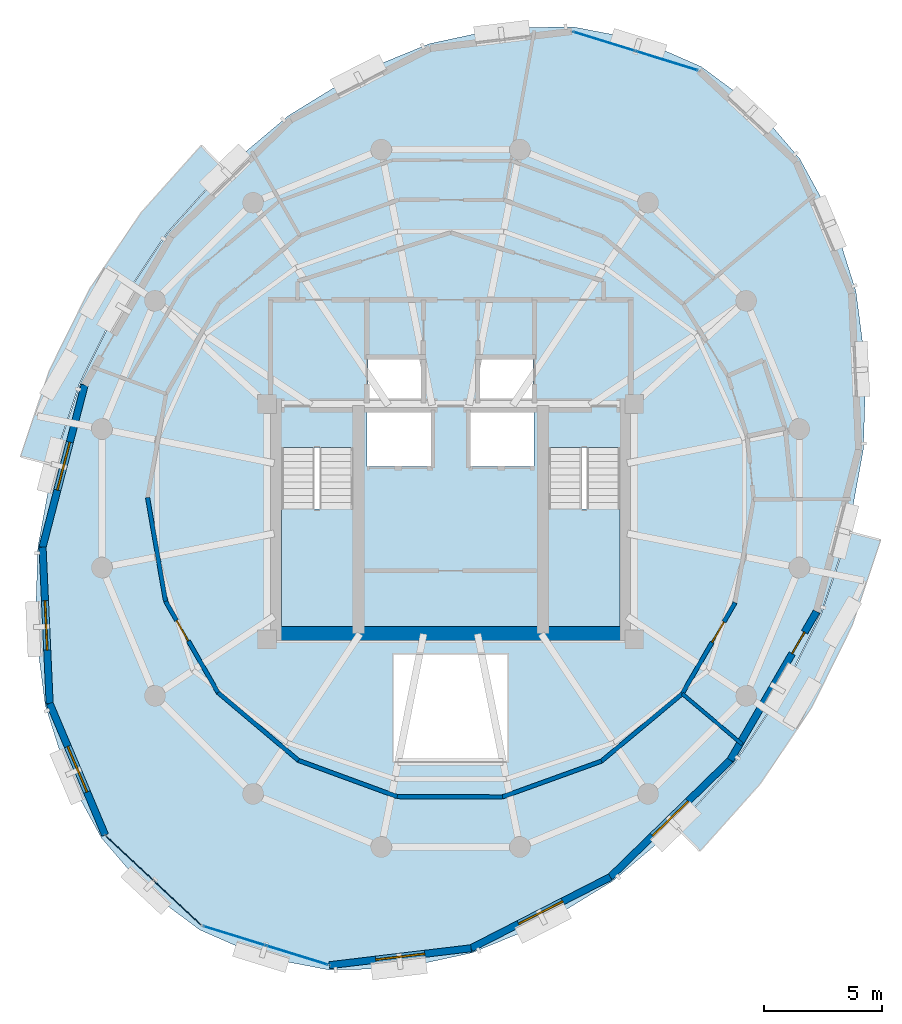
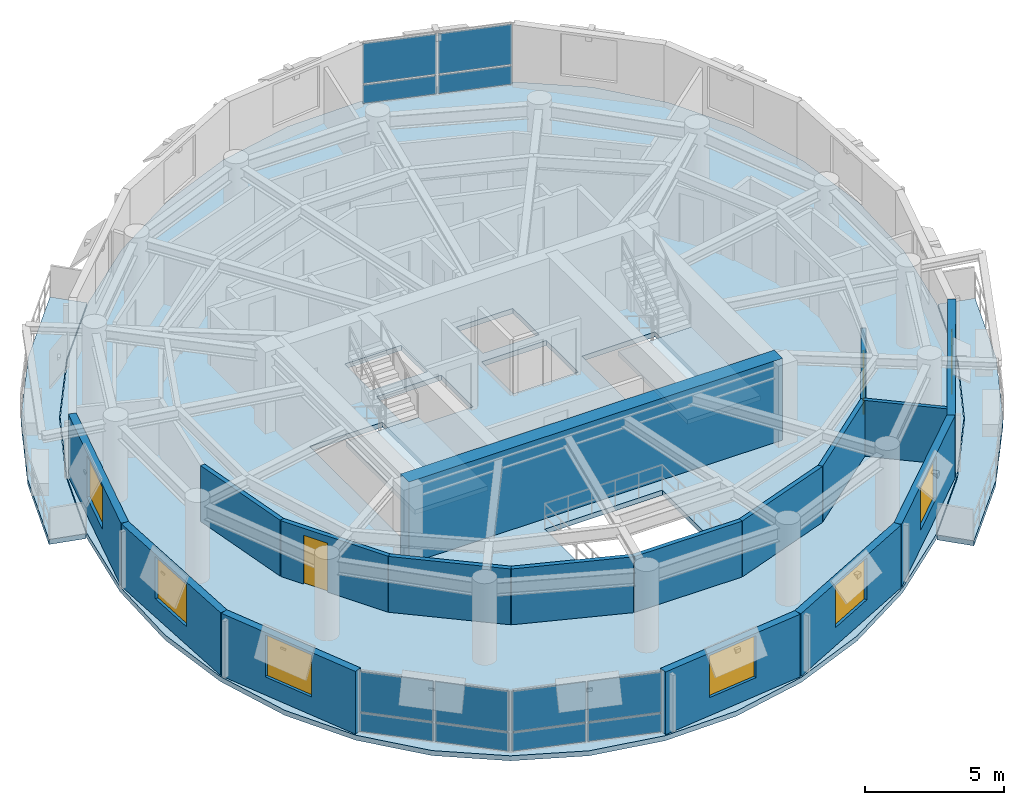
# One storey, part 6 of 11: 17 walls, 12 plates, 6 windows, 5 slabs, 3 doors, 9 openings, 5 elements without a shape of their own.
"""IFC4 building model written with IfcOpenShell, lengths in metres."""

from ifc_helpers import new_model, si_unit, direction, frame, frame_2d, origin, origin_2d, place, context, subcontext, project, spatial, polyline, rectangle, outline, extrude, material, layer, layer_set, type_object, element, fill, aggregate, save


model = new_model("IFC4")

# Units and contexts
model_context = context("Model", 3, precision=1e-05, world=origin(), true_north=direction((0.0, 1.0)))
body_context = subcontext(model_context, "Body", "Model", "MODEL_VIEW")
ifc_project = project(units=[si_unit("LENGTHUNIT", "METRE"), si_unit("AREAUNIT", "SQUARE_METRE"), si_unit("VOLUMEUNIT", "CUBIC_METRE"), si_unit("PLANEANGLEUNIT", "RADIAN"), si_unit("MASSUNIT", "GRAM", prefix="KILO"), si_unit("THERMODYNAMICTEMPERATUREUNIT", "KELVIN"), si_unit("POWERUNIT", "WATT")], contexts=[model_context])

# Site, building, storey
site_placement = place(None, origin())
site = spatial("IfcSite", under=ifc_project, at=site_placement, CompositionType="ELEMENT")
building_placement = place(site_placement, origin())
building = spatial("IfcBuilding", under=site, at=building_placement, Name="Ocrelia Relay Tower", CompositionType="ELEMENT")
storey_placement = place(building_placement, frame((0.0, 0.0, 277.199951171875)))
storey = spatial("IfcBuildingStorey", under=building, at=storey_placement, Name="L69", CompositionType="ELEMENT", Elevation=277.199951171875)

# Curtain wall, plates
ifc_material_1 = material(Name="Aluminium and solar-control low-E glass", Category="aluminium")
ifc_layer_1 = layer(ifc_material_1, 0.179931640625, Name="Aluminium and solar-control low-E glass")
ifc_layer_set_1 = layer_set([ifc_layer_1], Name="Aluminium and solar-control low-E glass")
curtain_wall_type = type_object("IfcCurtainWallType", Name="CW-SYS-Z4-EXEC", PredefinedType="NOTDEFINED", material=ifc_layer_set_1)
curtain_wall_1_placement = place(storey_placement, origin())
curtain_wall_1 = element("IfcCurtainWall", 1, at=curtain_wall_1_placement, inside=storey, type_object=curtain_wall_type, Name="L69 Elliptical Tower Curtain Wall Bay 01", PredefinedType="NOTDEFINED")
ifc_material_2 = material(Name="Clear double-glazed low-E glass", Category="glass")
ifc_layer_2 = layer(ifc_material_2, 0.031982421875, Name="Clear double-glazed low-E glass")
ifc_layer_set_2 = layer_set([ifc_layer_2], Name="Clear double-glazed low-E glass")
plate_type = type_object("IfcPlateType", Name="CW-SYS-Z4-EXEC-PNL", PredefinedType="CURTAIN_PANEL", material=ifc_layer_set_2)
plate_1_placement = place(storey_placement, frame((43.1826171875, 44.58154296875, 0.06005859375), z_axis=(0.0, 0.0, 1.0), x_axis=(-0.955291722737, 0.295664885419, 0.0)))
plate_1 = element("IfcPlate", 2, at=plate_1_placement, type_object=plate_type, Name="CW-Z4 panel 1.1", PredefinedType="CURTAIN_PANEL", context=body_context, shape_type="SweptSolid", body=[
    extrude(rectangle(XDim=2.7275390625, YDim=0.031982421875, at=origin_2d()), origin(), (0.0, 0.0, 1.0), 0.81005859375),
])
plate_2_placement = place(storey_placement, frame((43.1826171875, 44.58154296875, 0.929931640625), z_axis=(0.0, 0.0, 1.0), x_axis=(-0.955291722737, 0.295664885419, 0.0)))
plate_2 = element("IfcPlate", 3, at=plate_2_placement, type_object=plate_type, Name="CW-Z4 panel 1.2", PredefinedType="CURTAIN_PANEL", context=body_context, shape_type="SweptSolid", body=[
    extrude(rectangle(XDim=2.7275390625, YDim=0.031982421875, at=origin_2d()), origin(), (0.0, 0.0, 1.0), 1.77001953125),
])
plate_3_placement = place(storey_placement, frame((40.514892578125, 45.4072265625, 0.06005859375), z_axis=(0.0, 0.0, 1.0), x_axis=(-0.955291722737, 0.295664885419, 0.0)))
plate_3 = element("IfcPlate", 4, at=plate_3_placement, type_object=plate_type, Name="CW-Z4 panel 2.1", PredefinedType="CURTAIN_PANEL", context=body_context, shape_type="SweptSolid", body=[
    extrude(rectangle(XDim=2.7275390625, YDim=0.031982421875, at=origin_2d()), origin(), (0.0, 0.0, 1.0), 0.81005859375),
])
plate_4_placement = place(storey_placement, frame((40.514892578125, 45.4072265625, 0.929931640625), z_axis=(0.0, 0.0, 1.0), x_axis=(-0.955291722737, 0.295664885419, 0.0)))
plate_4 = element("IfcPlate", 5, at=plate_4_placement, type_object=plate_type, Name="CW-Z4 panel 2.2", PredefinedType="CURTAIN_PANEL", context=body_context, shape_type="SweptSolid", body=[
    extrude(rectangle(XDim=2.7275390625, YDim=0.031982421875, at=origin_2d()), origin(), (0.0, 0.0, 1.0), 1.77001953125),
])
aggregate(curtain_wall_1, [plate_1, plate_2, plate_3, plate_4])

curtain_wall_2_placement = place(storey_placement, origin())
curtain_wall_2 = element("IfcCurtainWall", 6, at=curtain_wall_2_placement, inside=storey, type_object=curtain_wall_type, Name="L69 Elliptical Tower Curtain Wall Bay 09", PredefinedType="NOTDEFINED")
plate_5_placement = place(storey_placement, frame((20.3701171875, 10.7255859375, 0.06005859375), z_axis=(0.0, 0.0, 1.0), x_axis=(0.730125282793, -0.683313304003, 0.0)))
plate_5 = element("IfcPlate", 7, at=plate_5_placement, type_object=plate_type, Name="CW-Z4 panel 1.1", PredefinedType="CURTAIN_PANEL", context=body_context, shape_type="SweptSolid", body=[
    extrude(rectangle(XDim=2.7275390625, YDim=0.031982421875, at=origin_2d()), origin(), (0.0, 0.0, 1.0), 0.81005859375),
])
plate_6_placement = place(storey_placement, frame((20.3701171875, 10.7255859375, 0.929931640625), z_axis=(0.0, 0.0, 1.0), x_axis=(0.730125282793, -0.683313304003, 0.0)))
plate_6 = element("IfcPlate", 8, at=plate_6_placement, type_object=plate_type, Name="CW-Z4 panel 1.2", PredefinedType="CURTAIN_PANEL", context=body_context, shape_type="SweptSolid", body=[
    extrude(rectangle(XDim=2.7275390625, YDim=0.031982421875, at=origin_2d()), origin(), (0.0, 0.0, 1.0), 1.77001953125),
])
plate_7_placement = place(storey_placement, frame((22.4091796875, 8.8173828125, 0.06005859375), z_axis=(0.0, 0.0, 1.0), x_axis=(0.730125282793, -0.683313304003, 0.0)))
plate_7 = element("IfcPlate", 9, at=plate_7_placement, type_object=plate_type, Name="CW-Z4 panel 2.1", PredefinedType="CURTAIN_PANEL", context=body_context, shape_type="SweptSolid", body=[
    extrude(rectangle(XDim=2.7275390625, YDim=0.031982421875, at=origin_2d()), origin(), (0.0, 0.0, 1.0), 0.81005859375),
])
plate_8_placement = place(storey_placement, frame((22.4091796875, 8.8173828125, 0.929931640625), z_axis=(0.0, 0.0, 1.0), x_axis=(0.730125282793, -0.683313304003, 0.0)))
plate_8 = element("IfcPlate", 10, at=plate_8_placement, type_object=plate_type, Name="CW-Z4 panel 2.2", PredefinedType="CURTAIN_PANEL", context=body_context, shape_type="SweptSolid", body=[
    extrude(rectangle(XDim=2.7275390625, YDim=0.031982421875, at=origin_2d()), origin(), (0.0, 0.0, 1.0), 1.77001953125),
])
aggregate(curtain_wall_2, [plate_5, plate_6, plate_7, plate_8])

curtain_wall_3_placement = place(storey_placement, origin())
curtain_wall_3 = element("IfcCurtainWall", 11, at=curtain_wall_3_placement, inside=storey, type_object=curtain_wall_type, Name="L69 Elliptical Tower Curtain Wall Bay 10", PredefinedType="NOTDEFINED")
plate_9_placement = place(storey_placement, frame((24.8173828125, 7.41845703125, 0.06005859375), z_axis=(0.0, 0.0, 1.0), x_axis=(0.955291722737, -0.295664885419, 0.0)))
plate_9 = element("IfcPlate", 12, at=plate_9_placement, type_object=plate_type, Name="CW-Z4 panel 1.1", PredefinedType="CURTAIN_PANEL", context=body_context, shape_type="SweptSolid", body=[
    extrude(rectangle(XDim=2.7275390625, YDim=0.031982421875, at=origin_2d()), origin(), (0.0, 0.0, 1.0), 0.81005859375),
])
plate_10_placement = place(storey_placement, frame((24.8173828125, 7.41845703125, 0.929931640625), z_axis=(0.0, 0.0, 1.0), x_axis=(0.955291722737, -0.295664885419, 0.0)))
plate_10 = element("IfcPlate", 13, at=plate_10_placement, type_object=plate_type, Name="CW-Z4 panel 1.2", PredefinedType="CURTAIN_PANEL", context=body_context, shape_type="SweptSolid", body=[
    extrude(rectangle(XDim=2.7275390625, YDim=0.031982421875, at=origin_2d()), origin(), (0.0, 0.0, 1.0), 1.77001953125),
])
plate_11_placement = place(storey_placement, frame((27.485107421875, 6.5927734375, 0.06005859375), z_axis=(0.0, 0.0, 1.0), x_axis=(0.955291722737, -0.295664885419, 0.0)))
plate_11 = element("IfcPlate", 14, at=plate_11_placement, type_object=plate_type, Name="CW-Z4 panel 2.1", PredefinedType="CURTAIN_PANEL", context=body_context, shape_type="SweptSolid", body=[
    extrude(rectangle(XDim=2.7275390625, YDim=0.031982421875, at=origin_2d()), origin(), (0.0, 0.0, 1.0), 0.81005859375),
])
plate_12_placement = place(storey_placement, frame((27.485107421875, 6.5927734375, 0.929931640625), z_axis=(0.0, 0.0, 1.0), x_axis=(0.955291722737, -0.295664885419, 0.0)))
plate_12 = element("IfcPlate", 15, at=plate_12_placement, type_object=plate_type, Name="CW-Z4 panel 2.2", PredefinedType="CURTAIN_PANEL", context=body_context, shape_type="SweptSolid", body=[
    extrude(rectangle(XDim=2.7275390625, YDim=0.031982421875, at=origin_2d()), origin(), (0.0, 0.0, 1.0), 1.77001953125),
])
aggregate(curtain_wall_3, [plate_9, plate_10, plate_11, plate_12])

# Slabs
ifc_material_3 = material(Name="Precast concrete C40/50", Category="concrete")
ifc_layer_3 = layer(ifc_material_3, 0.219970703125, Name="Precast concrete C40/50")
ifc_layer_set_3 = layer_set([ifc_layer_3], Name="Precast concrete C40/50")
slab_type_1 = type_object("IfcSlabType", Name="SL-BALC-220", PredefinedType="FLOOR", material=ifc_layer_set_3)
slab_1_placement = place(storey_placement, frame((0.0, 0.0, -0.219970703125)))
element("IfcSlab", 16, at=slab_1_placement, inside=storey, type_object=slab_type_1, Name="L69 Planted Loggia Balcony B1", PredefinedType="FLOOR", context=body_context, shape_type="SweptSolid", body=[
    extrude(outline(polyline([(24.3759765625, 39.984619140625), (23.160400390625, 38.62451171875), (21.944580078125, 37.264404296875), (19.879150390625, 34.201904296875), (18.242431640625, 30.890625), (17.663330078125, 29.160888671875), (17.084228515625, 27.430908203125), (15.735107421875, 27.77880859375), (16.3447265625, 29.600341796875), (16.95458984375, 31.421630859375), (18.674560546875, 34.901611328125), (20.84521484375, 38.1201171875), (22.125, 39.552001953125), (23.405029296875, 40.984130859375), (24.3759765625, 39.984619140625)])), origin(), (0.0, 0.0, 1.0), 0.219970703125),
])
slab_2_placement = place(storey_placement, frame((0.0, 0.0, -0.219970703125)))
element("IfcSlab", 17, at=slab_2_placement, inside=storey, type_object=slab_type_1, Name="L69 Planted Loggia Balcony B2", PredefinedType="FLOOR", context=body_context, shape_type="SweptSolid", body=[
    extrude(outline(polyline([(43.6240234375, 12.015380859375), (44.839599609375, 13.37548828125), (46.055419921875, 14.735595703125), (48.120849609375, 17.798095703125), (49.757568359375, 21.109375), (50.336669921875, 22.839111328125), (50.915771484375, 24.569091796875), (52.264892578125, 24.22119140625), (51.6552734375, 22.399658203125), (51.04541015625, 20.578369140625), (49.325439453125, 17.098388671875), (47.15478515625, 13.8798828125), (45.875, 12.44775390625), (44.594970703125, 11.015869140625), (43.6240234375, 12.015380859375)])), origin(), (0.0, 0.0, 1.0), 0.219970703125),
])
ifc_material_4 = material(Name="Concrete C50/60", Category="concrete")
ifc_layer_4 = layer(ifc_material_4, 0.219970703125, Name="Concrete C50/60")
ifc_layer_set_4 = layer_set([ifc_layer_4], Name="Concrete C50/60")
slab_type_2 = type_object("IfcSlabType", Name="SL-FLR-220", PredefinedType="FLOOR", material=ifc_layer_set_4)
slab_3_placement = place(storey_placement, frame((0.0, 0.0, -0.219970703125)))
element("IfcSlab", 18, at=slab_3_placement, inside=storey, type_object=slab_type_2, Name="L69 Elliptical Tower Floor Slab", PredefinedType="FLOOR", context=body_context, shape_type="SweptSolid", body=[
    extrude(outline(polyline([(44.64794921875, 44.331787109375), (42.038818359375, 45.47509765625), (39.185302734375, 46.026611328125), (36.174072265625, 45.969482421875), (33.096923828125, 45.305419921875), (30.047119140625, 44.05517578125), (27.117431640625, 42.256103515625), (24.39697265625, 39.963134765625), (21.96826171875, 37.245849609375), (19.9052734375, 34.18701171875), (18.270263671875, 30.879150390625), (17.11328125, 27.42333984375), (16.469482421875, 23.924072265625), (16.3583984375, 20.488037109375), (16.783203125, 17.219482421875), (17.731201171875, 14.217529296875), (19.17333984375, 11.57373046875), (21.066162109375, 9.3681640625), (23.35205078125, 7.668212890625), (25.961181640625, 6.52490234375), (28.814697265625, 5.973388671875), (31.825927734375, 6.030517578125), (34.903076171875, 6.694580078125), (37.952880859375, 7.94482421875), (40.882568359375, 9.743896484375), (43.60302734375, 12.036865234375), (46.03173828125, 14.754150390625), (48.0947265625, 17.81298828125), (49.729736328125, 21.120849609375), (50.88671875, 24.57666015625), (51.530517578125, 28.075927734375), (51.6416015625, 31.511962890625), (51.216796875, 34.780517578125), (50.268798828125, 37.782470703125), (48.82666015625, 40.42626953125), (46.933837890625, 42.6318359375), (44.64794921875, 44.331787109375)]), holes=[polyline([(26.81005859375, 28.14990234375), (26.81005859375, 20.550048828125), (29.85009765625, 20.550048828125), (29.85009765625, 28.14990234375), (26.81005859375, 28.14990234375)]), polyline([(38.159912109375, 28.14990234375), (38.159912109375, 20.550048828125), (41.199951171875, 20.550048828125), (41.199951171875, 28.14990234375), (38.159912109375, 28.14990234375)]), polyline([(30.4599609375, 27.35009765625), (33.159912109375, 27.35009765625), (33.159912109375, 29.64990234375), (30.4599609375, 29.64990234375), (30.4599609375, 27.35009765625)]), polyline([(34.840087890625, 27.35009765625), (37.5400390625, 27.35009765625), (37.5400390625, 29.64990234375), (34.840087890625, 29.64990234375), (34.840087890625, 27.35009765625)]), polyline([(30.5, 30.10009765625), (32.85009765625, 30.10009765625), (32.85009765625, 32.0), (30.5, 32.0), (30.5, 30.10009765625)]), polyline([(35.14990234375, 30.10009765625), (37.5, 30.10009765625), (37.5, 32.0), (35.14990234375, 32.0), (35.14990234375, 30.10009765625)]), polyline([(31.550048828125, 14.800048828125), (36.449951171875, 14.800048828125), (36.449951171875, 19.39990234375), (31.550048828125, 19.39990234375), (31.550048828125, 14.800048828125)])]), origin(), (0.0, 0.0, 1.0), 0.219970703125),
])

# Stair, slab
stair_type = type_object("IfcStairType", Name="ST-DL-1420-R180", PredefinedType="HALF_TURN_STAIR", material=ifc_material_4)
stair_1_placement = place(storey_placement, origin())
stair_1 = element("IfcStair", 19, at=stair_1_placement, inside=storey, type_object=stair_type, Name="L69 West Core Exit Stair ST1", PredefinedType="HALF_TURN_STAIR")
ifc_layer_5 = layer(ifc_material_4, 0.199951171875, Name="Concrete C50/60")
ifc_layer_set_5 = layer_set([ifc_layer_5], Name="Concrete C50/60")
slab_type_3 = type_object("IfcSlabType", Name="SL-LANDING-200", PredefinedType="LANDING", material=ifc_layer_set_5)
slab_4_placement = place(storey_placement, frame((0.0, 0.0, 1.60009765625)))
slab_4 = element("IfcSlab", 20, at=slab_4_placement, type_object=slab_type_3, Name="ST1 landing 1", PredefinedType="LANDING", context=body_context, shape_type="SweptSolid", body=[
    extrude(outline(polyline([(26.81005859375, 25.5400390625), (26.81005859375, 20.550048828125), (29.85009765625, 20.550048828125), (29.85009765625, 25.5400390625), (26.81005859375, 25.5400390625)])), origin(), (0.0, 0.0, 1.0), 0.199951171875),
])
aggregate(stair_1, [slab_4])

stair_2_placement = place(storey_placement, origin())
stair_2 = element("IfcStair", 21, at=stair_2_placement, inside=storey, type_object=stair_type, Name="L69 East Core Exit Stair ST2", PredefinedType="HALF_TURN_STAIR")
slab_5_placement = place(storey_placement, frame((0.0, 0.0, 1.60009765625)))
slab_5 = element("IfcSlab", 22, at=slab_5_placement, type_object=slab_type_3, Name="ST2 landing 1", PredefinedType="LANDING", context=body_context, shape_type="SweptSolid", body=[
    extrude(outline(polyline([(38.159912109375, 25.5400390625), (38.159912109375, 20.550048828125), (41.199951171875, 20.550048828125), (41.199951171875, 25.5400390625), (38.159912109375, 25.5400390625)])), origin(), (0.0, 0.0, 1.0), 0.199951171875),
])
aggregate(stair_2, [slab_5])

# Walls
ifc_layer_6 = layer(ifc_material_4, 0.60009765625, Name="Concrete C50/60")
ifc_layer_set_6 = layer_set([ifc_layer_6], Name="Concrete C50/60")
wall_type_1 = type_object("IfcWallType", Name="CW-CORE-600B", PredefinedType="SHEAR", material=ifc_layer_set_6)
wall_1_placement = place(storey_placement, frame((26.221923828125, 20.261962890625, 0.0), z_axis=(0.0, 0.0, 1.0), x_axis=(1.0, 0.0, 0.0)))
element("IfcWall", 23, at=wall_1_placement, inside=storey, type_object=wall_type_1, Name="L69 Core Shear Wall S", PredefinedType="SHEAR", context=body_context, shape_type="SweptSolid", body=[
    extrude(rectangle(XDim=15.566162109375, YDim=0.60009765625, at=frame_2d((7.783203125, 0.0))), origin(), (0.0, 0.0, 1.0), 3.60009765625),
])
ifc_material_5 = material(Name="Gypsum Fireboard Partition EI60", Category="gypsum")
ifc_layer_7 = layer(ifc_material_5, 0.179931640625, Name="Gypsum Fireboard Partition EI60")
ifc_layer_set_7 = layer_set([ifc_layer_7], Name="Gypsum Fireboard Partition EI60")
wall_type_2 = type_object("IfcWallType", Name="W-CORR-EI60-180", PredefinedType="PARTITIONING", material=ifc_layer_set_7)
wall_2_placement = place(storey_placement, frame((21.1298828125, 26.03369140625, 0.0), z_axis=(0.0, 0.0, 1.0), x_axis=(0.171126796795, -0.985249013914, 0.0)))
element("IfcWall", 24, at=wall_2_placement, inside=storey, type_object=wall_type_2, Name="L69 Diplomatic Protocol Foyer Corridor Partition 2", PredefinedType="PARTITIONING", context=body_context, shape_type="SweptSolid", body=[
    extrude(rectangle(XDim=4.4697265625, YDim=0.179931640625, at=frame_2d((2.23486328125, 0.0))), origin(), (0.0, 0.0, 1.0), 2.4599609375),
])

# Wall, opening, door
wall_3_placement = place(storey_placement, frame((21.894775390625, 21.6298828125, 0.0), z_axis=(0.0, 0.0, 1.0), x_axis=(0.497714592085, -0.867340870031, 0.0)))
wall_3 = element("IfcWall", 25, at=wall_3_placement, inside=storey, type_object=wall_type_2, Name="L69 Diplomatic Protocol Foyer Corridor Partition 3", PredefinedType="PARTITIONING", context=body_context, shape_type="SweptSolid", body=[
    extrude(rectangle(XDim=4.4697265625, YDim=0.179931640625, at=frame_2d((2.23486328125, 0.0))), origin(), (0.0, 0.0, 1.0), 2.4599609375),
])
opening_1_placement = place(wall_3_placement, frame((0.9423828125, 0.0, 0.0)))
opening_1 = element("IfcOpeningElement", 26, at=opening_1_placement, cuts=wall_3, Name="Opening D-RM100", PredefinedType="OPENING", context=body_context, shape_type="SweptSolid", body=[
    extrude(rectangle(XDim=1.0, YDim=2.14990234375, at=frame_2d((0.5, 1.074951171875))), frame((0.0, 0.10009765625, 0.0), z_axis=(0.0, -1.0, 0.0), x_axis=(1.0, 0.0, 0.0)), (0.0, 0.0, 1.0), 0.199951171875),
])
ifc_material_6 = material(Name="Acoustic oak veneer fire door", Category="wood")
door_type_1 = type_object("IfcDoorType", Name="DR-ROOM-FD60-1000", OperationType="NOTDEFINED", PredefinedType="DOOR", material=ifc_material_6)
door_1_placement = place(opening_1_placement, origin())
door_1 = element("IfcDoor", 27, at=door_1_placement, inside=storey, type_object=door_type_1, Name="L69 Diplomatic Protocol Foyer Entrance Door", OperationType="SINGLE_SWING_LEFT", OverallHeight=2.14990234375, OverallWidth=1.0, PredefinedType="DOOR", context=body_context, shape_type="SweptSolid", body=[
    extrude(rectangle(XDim=1.0, YDim=2.14990234375, at=frame_2d((0.5, 1.074951171875))), frame((0.0, 0.02490234375, 0.0), z_axis=(0.0, -1.0, 0.0), x_axis=(1.0, 0.0, 0.0)), (0.0, 0.0, 1.0), 0.050048828125),
])
fill(opening_1, door_1)

# Walls
for number, where, z_axis, x_axis, name in (
    (28, (24.119384765625, 17.753173828125, 0.0), (0.0, 0.0, 1.0), (0.764357098744, -0.644793164976, 0.0), "L69 Diplomatic Protocol Foyer Corridor Partition 4"),
    (29, (27.535888671875, 14.87109375, 0.0), (0.0, 0.0, 1.0), (0.938786245945, -0.3445001951, 0.0), "L69 Diplomatic Protocol Foyer Corridor Partition 5"),
    (30, (31.73193359375, 13.331298828125, 0.0), (0.0, 0.0, 1.0), (0.999996563088, -0.002621795665, 0.0), "L69 Diplomatic Protocol Foyer Corridor Partition 6"),
    (31, (36.20166015625, 13.319580078125, 0.0), (0.0, 0.0, 1.0), (0.940577162763, 0.339580036057, 0.0), "L69 Diplomatic Protocol Foyer Corridor Partition 7"),
    (32, (40.40576171875, 14.83740234375, 0.0), (0.0, 0.0, 1.0), (0.767746496496, 0.640753710187, 0.0), "L69 Diplomatic Protocol Foyer Corridor Partition 8"),
):
    element("IfcWall", number, at=place(storey_placement, frame(where, z_axis=z_axis, x_axis=x_axis)), inside=storey, type_object=wall_type_2, Name=name, PredefinedType="PARTITIONING", context=body_context, shape_type="SweptSolid", body=[
        extrude(rectangle(XDim=4.4697265625, YDim=0.179931640625, at=frame_2d((2.23486328125, 0.0))), origin(), (0.0, 0.0, 1.0), 2.4599609375),
    ])

# Wall, opening, door
wall_4_placement = place(storey_placement, frame((43.83740234375, 17.701416015625, 0.0), z_axis=(0.0, 0.0, 1.0), x_axis=(0.502226433787, 0.864736150051, 0.0)))
wall_4 = element("IfcWall", 33, at=wall_4_placement, inside=storey, type_object=wall_type_2, Name="L69 Technician Tea Pantry Corridor Partition 1", PredefinedType="PARTITIONING", context=body_context, shape_type="SweptSolid", body=[
    extrude(rectangle(XDim=4.4697265625, YDim=0.179931640625, at=frame_2d((2.23486328125, 0.0))), origin(), (0.0, 0.0, 1.0), 2.4599609375),
])
opening_2_placement = place(wall_4_placement, frame((2.52734375, 0.0, 0.0)))
opening_2 = element("IfcOpeningElement", 34, at=opening_2_placement, cuts=wall_4, Name="Opening D-RM100", PredefinedType="OPENING", context=body_context, shape_type="SweptSolid", body=[
    extrude(rectangle(XDim=1.0, YDim=2.14990234375, at=frame_2d((0.5, 1.074951171875))), frame((0.0, 0.10009765625, 0.0), z_axis=(0.0, -1.0, 0.0), x_axis=(1.0, 0.0, 0.0)), (0.0, 0.0, 1.0), 0.199951171875),
])
door_2_placement = place(opening_2_placement, origin())
door_2 = element("IfcDoor", 35, at=door_2_placement, inside=storey, type_object=door_type_1, Name="L69 Technician Tea Pantry Entrance Door", OperationType="SINGLE_SWING_RIGHT", OverallHeight=2.14990234375, OverallWidth=1.0, PredefinedType="DOOR", context=body_context, shape_type="SweptSolid", body=[
    extrude(rectangle(XDim=1.0, YDim=2.14990234375, at=frame_2d((0.5, 1.074951171875))), frame((0.0, 0.02490234375, 0.0), z_axis=(0.0, -1.0, 0.0), x_axis=(1.0, 0.0, 0.0)), (0.0, 0.0, 1.0), 0.050048828125),
])
fill(opening_2, door_2)

# Wall, opening, window
ifc_material_7 = material(Name="Precast concrete C40/50 with oxide terracotta", Category="masonry")
ifc_layer_8 = layer(ifc_material_7, 0.300048828125, Name="Precast concrete C40/50 with oxide terracotta")
ifc_layer_set_8 = layer_set([ifc_layer_8], Name="Precast concrete C40/50 with oxide terracotta")
wall_type_3 = type_object("IfcWallType", Name="W-EXT-TERR-300", PredefinedType="SOLIDWALL", material=ifc_layer_set_8)
wall_5_placement = place(storey_placement, frame((18.4580078125, 30.810302734375, 0.0), z_axis=(0.0, 0.0, 1.0), x_axis=(-0.251374151945, -0.967889991546, 0.0)))
wall_5 = element("IfcWall", 36, at=wall_5_placement, inside=storey, type_object=wall_type_3, Name="L69 Oxide Terracotta Facade Wall 06", PredefinedType="SOLIDWALL", context=body_context, shape_type="SweptSolid", body=[
    extrude(rectangle(XDim=7.115234375, YDim=0.300048828125, at=frame_2d((3.5576171875, 0.0))), origin(), (0.0, 0.0, 1.0), 2.760009765625),
])
opening_3_placement = place(wall_5_placement, frame((2.508056640625, 0.0, 0.800048828125)))
opening_3 = element("IfcOpeningElement", 37, at=opening_3_placement, cuts=wall_5, Name="Opening W-07", PredefinedType="OPENING", context=body_context, shape_type="SweptSolid", body=[
    extrude(rectangle(XDim=2.10009765625, YDim=1.85009765625, at=frame_2d((1.050048828125, 0.925048828125))), frame((0.0, 0.16015625, 0.0), z_axis=(0.0, -1.0, 0.0), x_axis=(1.0, 0.0, 0.0)), (0.0, 0.0, 1.0), 0.320068359375),
])
window_type = type_object("IfcWindowType", Name="WIN-Z4-2100x2200", PartitioningType="DOUBLE_PANEL_VERTICAL", PredefinedType="WINDOW", material=ifc_material_2)
window_1_placement = place(opening_3_placement, origin())
window_1 = element("IfcWindow", 38, at=window_1_placement, inside=storey, type_object=window_type, Name="L69 Facade Module Window 06", OverallHeight=1.85009765625, OverallWidth=2.10009765625, PartitioningType="SINGLE_PANEL", PredefinedType="WINDOW", context=body_context, shape_type="SweptSolid", body=[
    extrude(rectangle(XDim=2.10009765625, YDim=1.85009765625, at=frame_2d((1.050048828125, 0.925048828125))), frame((0.0, 0.030029296875, 0.0), z_axis=(0.0, -1.0, 0.0), x_axis=(1.0, 0.0, 0.0)), (0.0, 0.0, 1.0), 0.06005859375),
])
fill(opening_3, window_1)

wall_6_placement = place(storey_placement, frame((16.66943359375, 23.923583984375, 0.0), z_axis=(0.0, 0.0, 1.0), x_axis=(0.045424331504, -0.998967782317, 0.0)))
wall_6 = element("IfcWall", 39, at=wall_6_placement, inside=storey, type_object=wall_type_3, Name="L69 Oxide Terracotta Facade Wall 07", PredefinedType="SOLIDWALL", context=body_context, shape_type="SweptSolid", body=[
    extrude(rectangle(XDim=6.64306640625, YDim=0.300048828125, at=frame_2d((3.321533203125, 0.0))), origin(), (0.0, 0.0, 1.0), 2.760009765625),
])
opening_4_placement = place(wall_6_placement, frame((2.27197265625, 0.0, 0.800048828125)))
opening_4 = element("IfcOpeningElement", 40, at=opening_4_placement, cuts=wall_6, Name="Opening W-07", PredefinedType="OPENING", context=body_context, shape_type="SweptSolid", body=[
    extrude(rectangle(XDim=2.10009765625, YDim=1.85009765625, at=frame_2d((1.050048828125, 0.925048828125))), frame((0.0, 0.16015625, 0.0), z_axis=(0.0, -1.0, 0.0), x_axis=(1.0, 0.0, 0.0)), (0.0, 0.0, 1.0), 0.320068359375),
])
window_2_placement = place(opening_4_placement, origin())
window_2 = element("IfcWindow", 41, at=window_2_placement, inside=storey, type_object=window_type, Name="L69 Facade Module Window 07", OverallHeight=1.85009765625, OverallWidth=2.10009765625, PartitioningType="SINGLE_PANEL", PredefinedType="WINDOW", context=body_context, shape_type="SweptSolid", body=[
    extrude(rectangle(XDim=2.10009765625, YDim=1.85009765625, at=frame_2d((1.050048828125, 0.925048828125))), frame((0.0, 0.030029296875, 0.0), z_axis=(0.0, -1.0, 0.0), x_axis=(1.0, 0.0, 0.0)), (0.0, 0.0, 1.0), 0.06005859375),
])
fill(opening_4, window_2)

wall_7_placement = place(storey_placement, frame((16.97119140625, 17.287353515625, 0.0), z_axis=(0.0, 0.0, 1.0), x_axis=(0.388609687406, -0.921402469529, 0.0)))
wall_7 = element("IfcWall", 42, at=wall_7_placement, inside=storey, type_object=wall_type_3, Name="L69 Oxide Terracotta Facade Wall 08", PredefinedType="SOLIDWALL", context=body_context, shape_type="SweptSolid", body=[
    extrude(rectangle(XDim=6.06201171875, YDim=0.300048828125, at=frame_2d((3.031005859375, 0.0))), origin(), (0.0, 0.0, 1.0), 2.760009765625),
])
opening_5_placement = place(wall_7_placement, frame((1.98095703125, 0.0, 0.800048828125)))
opening_5 = element("IfcOpeningElement", 43, at=opening_5_placement, cuts=wall_7, Name="Opening W-07", PredefinedType="OPENING", context=body_context, shape_type="SweptSolid", body=[
    extrude(rectangle(XDim=2.10009765625, YDim=1.85009765625, at=frame_2d((1.050048828125, 0.925048828125))), frame((0.0, 0.16015625, 0.0), z_axis=(0.0, -1.0, 0.0), x_axis=(1.0, 0.0, 0.0)), (0.0, 0.0, 1.0), 0.320068359375),
])
window_3_placement = place(opening_5_placement, origin())
window_3 = element("IfcWindow", 44, at=window_3_placement, inside=storey, type_object=window_type, Name="L69 Facade Module Window 08", OverallHeight=1.85009765625, OverallWidth=2.10009765625, PartitioningType="SINGLE_PANEL", PredefinedType="WINDOW", context=body_context, shape_type="SweptSolid", body=[
    extrude(rectangle(XDim=2.10009765625, YDim=1.85009765625, at=frame_2d((1.050048828125, 0.925048828125))), frame((0.0, 0.030029296875, 0.0), z_axis=(0.0, -1.0, 0.0), x_axis=(1.0, 0.0, 0.0)), (0.0, 0.0, 1.0), 0.06005859375),
])
fill(opening_5, window_3)

wall_8_placement = place(storey_placement, frame((28.85009765625, 6.17041015625, 0.0), z_axis=(0.0, 0.0, 1.0), x_axis=(0.992897596108, 0.118972112883, 0.0)))
wall_8 = element("IfcWall", 45, at=wall_8_placement, inside=storey, type_object=wall_type_3, Name="L69 Oxide Terracotta Facade Wall 11", PredefinedType="SOLIDWALL", context=body_context, shape_type="SweptSolid", body=[
    extrude(rectangle(XDim=6.061767578125, YDim=0.300048828125, at=frame_2d((3.03076171875, 0.0))), origin(), (0.0, 0.0, 1.0), 2.760009765625),
])
opening_6_placement = place(wall_8_placement, frame((1.98095703125, 0.0, 0.800048828125)))
opening_6 = element("IfcOpeningElement", 46, at=opening_6_placement, cuts=wall_8, Name="Opening W-07", PredefinedType="OPENING", context=body_context, shape_type="SweptSolid", body=[
    extrude(rectangle(XDim=2.10009765625, YDim=1.85009765625, at=frame_2d((1.050048828125, 0.925048828125))), frame((0.0, 0.16015625, 0.0), z_axis=(0.0, -1.0, 0.0), x_axis=(1.0, 0.0, 0.0)), (0.0, 0.0, 1.0), 0.320068359375),
])
window_4_placement = place(opening_6_placement, origin())
window_4 = element("IfcWindow", 47, at=window_4_placement, inside=storey, type_object=window_type, Name="L69 Facade Module Window 11", OverallHeight=1.85009765625, OverallWidth=2.10009765625, PartitioningType="SINGLE_PANEL", PredefinedType="WINDOW", context=body_context, shape_type="SweptSolid", body=[
    extrude(rectangle(XDim=2.10009765625, YDim=1.85009765625, at=frame_2d((1.050048828125, 0.925048828125))), frame((0.0, 0.030029296875, 0.0), z_axis=(0.0, -1.0, 0.0), x_axis=(1.0, 0.0, 0.0)), (0.0, 0.0, 1.0), 0.06005859375),
])
fill(opening_6, window_4)

wall_9_placement = place(storey_placement, frame((34.868896484375, 6.8916015625, 0.0), z_axis=(0.0, 0.0, 1.0), x_axis=(0.890243311172, 0.455485287263, 0.0)))
wall_9 = element("IfcWall", 48, at=wall_9_placement, inside=storey, type_object=wall_type_3, Name="L69 Oxide Terracotta Facade Wall 12", PredefinedType="SOLIDWALL", context=body_context, shape_type="SweptSolid", body=[
    extrude(rectangle(XDim=6.643310546875, YDim=0.300048828125, at=frame_2d((3.32177734375, 0.0))), origin(), (0.0, 0.0, 1.0), 2.760009765625),
])
opening_7_placement = place(wall_9_placement, frame((2.27197265625, 0.0, 0.800048828125)))
opening_7 = element("IfcOpeningElement", 49, at=opening_7_placement, cuts=wall_9, Name="Opening W-07", PredefinedType="OPENING", context=body_context, shape_type="SweptSolid", body=[
    extrude(rectangle(XDim=2.10009765625, YDim=1.85009765625, at=frame_2d((1.050048828125, 0.925048828125))), frame((0.0, 0.16015625, 0.0), z_axis=(0.0, -1.0, 0.0), x_axis=(1.0, 0.0, 0.0)), (0.0, 0.0, 1.0), 0.320068359375),
])
window_5_placement = place(opening_7_placement, origin())
window_5 = element("IfcWindow", 50, at=window_5_placement, inside=storey, type_object=window_type, Name="L69 Facade Module Window 12", OverallHeight=1.85009765625, OverallWidth=2.10009765625, PartitioningType="SINGLE_PANEL", PredefinedType="WINDOW", context=body_context, shape_type="SweptSolid", body=[
    extrude(rectangle(XDim=2.10009765625, YDim=1.85009765625, at=frame_2d((1.050048828125, 0.925048828125))), frame((0.0, 0.030029296875, 0.0), z_axis=(0.0, -1.0, 0.0), x_axis=(1.0, 0.0, 0.0)), (0.0, 0.0, 1.0), 0.06005859375),
])
fill(opening_7, window_5)

wall_10_placement = place(storey_placement, frame((40.782958984375, 9.91748046875, 0.0), z_axis=(0.0, 0.0, 1.0), x_axis=(0.716208919205, 0.697885939142, 0.0)))
wall_10 = element("IfcWall", 51, at=wall_10_placement, inside=storey, type_object=wall_type_3, Name="L69 Oxide Terracotta Facade Wall 13", PredefinedType="SOLIDWALL", context=body_context, shape_type="SweptSolid", body=[
    extrude(rectangle(XDim=7.115234375, YDim=0.300048828125, at=frame_2d((3.5576171875, 0.0))), origin(), (0.0, 0.0, 1.0), 2.760009765625),
])
opening_8_placement = place(wall_10_placement, frame((2.508056640625, 0.0, 0.800048828125)))
opening_8 = element("IfcOpeningElement", 52, at=opening_8_placement, cuts=wall_10, Name="Opening W-07", PredefinedType="OPENING", context=body_context, shape_type="SweptSolid", body=[
    extrude(rectangle(XDim=2.10009765625, YDim=1.85009765625, at=frame_2d((1.050048828125, 0.925048828125))), frame((0.0, 0.16015625, 0.0), z_axis=(0.0, -1.0, 0.0), x_axis=(1.0, 0.0, 0.0)), (0.0, 0.0, 1.0), 0.320068359375),
])
window_6_placement = place(opening_8_placement, origin())
window_6 = element("IfcWindow", 53, at=window_6_placement, inside=storey, type_object=window_type, Name="L69 Facade Module Window 13", OverallHeight=1.85009765625, OverallWidth=2.10009765625, PartitioningType="SINGLE_PANEL", PredefinedType="WINDOW", context=body_context, shape_type="SweptSolid", body=[
    extrude(rectangle(XDim=2.10009765625, YDim=1.85009765625, at=frame_2d((1.050048828125, 0.925048828125))), frame((0.0, 0.030029296875, 0.0), z_axis=(0.0, -1.0, 0.0), x_axis=(1.0, 0.0, 0.0)), (0.0, 0.0, 1.0), 0.06005859375),
])
fill(opening_8, window_6)

# Wall, opening, door
wall_11_placement = place(storey_placement, frame((45.87890625, 14.883056640625, 0.0), z_axis=(0.0, 0.0, 1.0), x_axis=(0.502255031748, 0.864719540131, 0.0)))
wall_11 = element("IfcWall", 54, at=wall_11_placement, inside=storey, type_object=wall_type_3, Name="L69 Oxide Terracotta Facade Wall 14", PredefinedType="SOLIDWALL", context=body_context, shape_type="SweptSolid", body=[
    extrude(rectangle(XDim=7.293212890625, YDim=0.300048828125, at=frame_2d((3.646484375, 0.0))), origin(), (0.0, 0.0, 1.0), 2.760009765625),
])
opening_9_placement = place(wall_11_placement, frame((5.22998046875, 0.0, 0.0)))
opening_9 = element("IfcOpeningElement", 55, at=opening_9_placement, cuts=wall_11, Name="Opening DB-105", PredefinedType="OPENING", context=body_context, shape_type="SweptSolid", body=[
    extrude(rectangle(XDim=1.050048828125, YDim=2.14990234375, at=frame_2d((0.52490234375, 1.074951171875))), frame((0.0, 0.16015625, 0.0), z_axis=(0.0, -1.0, 0.0), x_axis=(1.0, 0.0, 0.0)), (0.0, 0.0, 1.0), 0.320068359375),
])
ifc_material_8 = material(Name="Thermally broken aluminium and clear glass", Category="aluminium")
door_type_2 = type_object("IfcDoorType", Name="DR-BALC-1050", OperationType="NOTDEFINED", PredefinedType="DOOR", material=ifc_material_8)
door_3_placement = place(opening_9_placement, origin())
door_3 = element("IfcDoor", 56, at=door_3_placement, inside=storey, type_object=door_type_2, Name="L69 Planted Loggia Balcony Door B2", OperationType="SINGLE_SWING_LEFT", OverallHeight=2.14990234375, OverallWidth=1.050048828125, PredefinedType="DOOR", context=body_context, shape_type="SweptSolid", body=[
    extrude(rectangle(XDim=1.050048828125, YDim=2.14990234375, at=frame_2d((0.52490234375, 1.074951171875))), frame((0.0, 0.02490234375, 0.0), z_axis=(0.0, -1.0, 0.0), x_axis=(1.0, 0.0, 0.0)), (0.0, 0.0, 1.0), 0.050048828125),
])
fill(opening_9, door_3)

# Wall
ifc_material_9 = material(Name="Acoustic Fireboard Partition EI60", Category="gypsum")
ifc_layer_9 = layer(ifc_material_9, 0.14990234375, Name="Acoustic Fireboard Partition EI60")
ifc_layer_set_9 = layer_set([ifc_layer_9], Name="Acoustic Fireboard Partition EI60")
wall_type_4 = type_object("IfcWallType", Name="W-PART-150", PredefinedType="PARTITIONING", material=ifc_layer_set_9)
wall_12_placement = place(storey_placement, frame((43.83740234375, 17.701416015625, 0.0), z_axis=(0.0, 0.0, 1.0), x_axis=(0.764350185537, -0.644801360009, 0.0)))
element("IfcWall", 57, at=wall_12_placement, inside=storey, type_object=wall_type_4, Name="L69 Diplomatic Protocol Foyer Radial Partition", PredefinedType="PARTITIONING", context=body_context, shape_type="SweptSolid", body=[
    extrude(rectangle(XDim=3.330810546875, YDim=0.14990234375, at=frame_2d((1.66552734375, 0.0))), origin(), (0.0, 0.0, 1.0), 2.4599609375),
])

save(model, "model.ifc")
